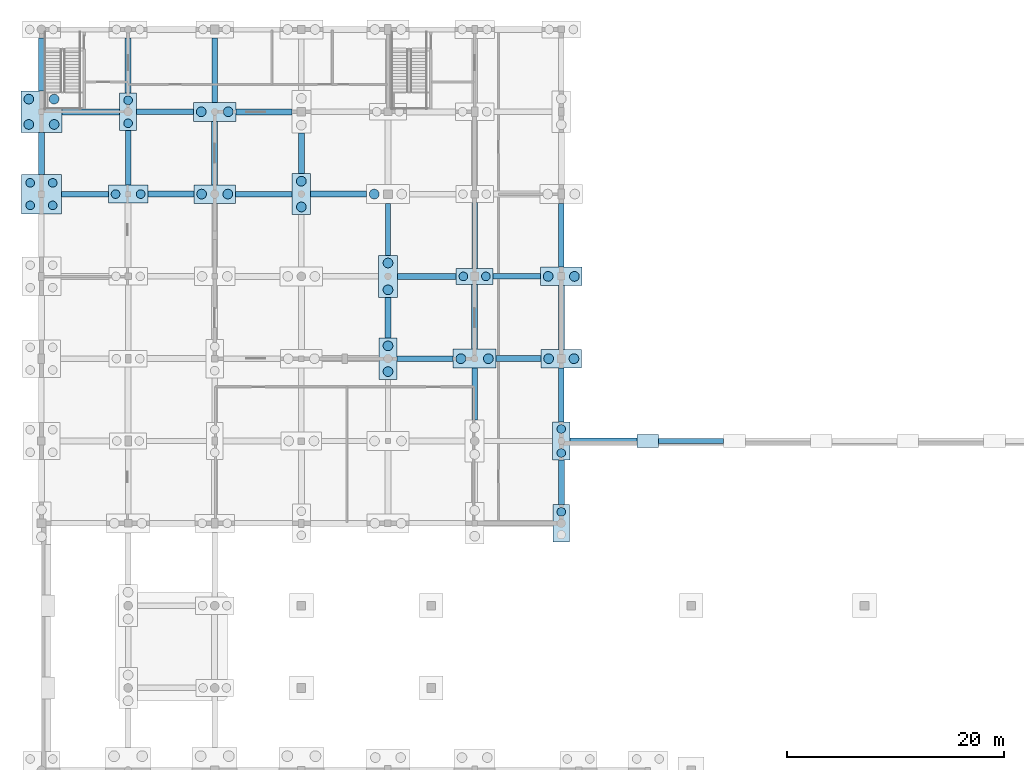
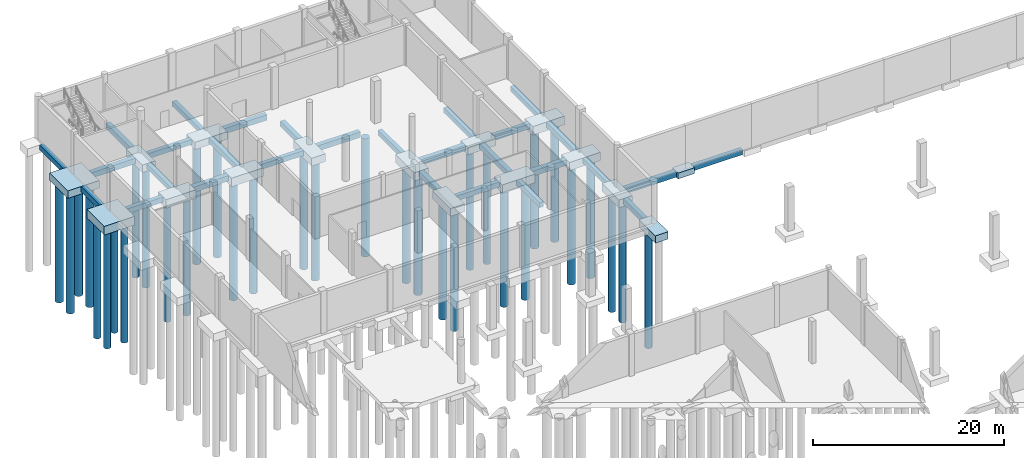
# One storey, part 9 of 44: 45 footings, 34 piles.
"""IFC4 building model written with IfcOpenShell, lengths in metres."""

from ifc_helpers import new_model, si_unit, direction, frame, origin, origin_2d, place, context, subcontext, project, spatial, polyline, circle, outline, extrude, material, material_profile, profile_set, type_object, element, save


model = new_model("IFC4")

# Units and contexts
model_context = context("Model", 3, precision=1e-05, world=origin(), true_north=direction((0.0, 1.0)))
body_context = subcontext(model_context, "Body", "Model", "MODEL_VIEW")
ifc_project = project(units=[si_unit("LENGTHUNIT", "METRE"), si_unit("AREAUNIT", "SQUARE_METRE"), si_unit("VOLUMEUNIT", "CUBIC_METRE"), si_unit("PLANEANGLEUNIT", "RADIAN"), si_unit("MASSUNIT", "GRAM", prefix="KILO")], contexts=[model_context])

# Site, building, storey
site_placement = place(None, origin())
site = spatial("IfcSite", under=ifc_project, at=site_placement, CompositionType="ELEMENT")
building_placement = place(site_placement, origin())
building = spatial("IfcBuilding", under=site, at=building_placement, Name="Khelvaren Railside Concert Hall", CompositionType="ELEMENT")
storey_placement = place(building_placement, frame((0.0, 0.0, -5.39990234375)))
storey = spatial("IfcBuildingStorey", under=building, at=storey_placement, Name="B1", CompositionType="ELEMENT", Elevation=-5.39990234375)

# Piles
ifc_material = material(Name="Concrete C35/45", Category="concrete")
ifc_material_profile_1 = material_profile(ifc_material, circle(Radius=0.449951171875, at=origin_2d()), Name="BP D900")
ifc_profile_set_1 = profile_set([ifc_material_profile_1], Name="Concrete C35/45")
pile_type_1 = type_object("IfcPileType", Name="BP51", PredefinedType="BORED", material=ifc_profile_set_1)
for number, where, z_axis, x_axis, name in (
    (1, (-1.169921875, 105.22998046875, -1.35009765625), (0.0, 0.0, -1.0), (1.0, 0.0, 0.0), "Bored Pile BP51 PC-V4-012-1"),
    (2, (1.169921875, 105.22998046875, -1.35009765625), (0.0, 0.0, -1.0), (1.0, 0.0, 0.0), "Bored Pile BP51 PC-V4-012-2"),
    (3, (-1.169921875, 107.570068359375, -1.35009765625), (0.0, 0.0, -1.0), (1.0, 0.0, 0.0), "Bored Pile BP51 PC-V4-012-3"),
    (4, (1.169921875, 107.570068359375, -1.35009765625), (0.0, 0.0, -1.0), (1.0, 0.0, 0.0), "Bored Pile BP51 PC-V4-012-4"),
):
    element("IfcPile", number, at=place(storey_placement, frame(where, z_axis=z_axis, x_axis=x_axis)), inside=storey, type_object=pile_type_1, Name=name, PredefinedType="BORED", context=body_context, shape_type="SweptSolid", body=[
        extrude(circle(Radius=0.449951171875, at=origin_2d()), origin(), (0.0, 0.0, 1.0), 15.25),
    ])
for number, where, z_axis, x_axis, name in (
    (5, (14.7900390625, 98.800048828125, -1.5), (0.0, 0.0, -1.0), (1.0, 0.0, 0.0), "Bored Pile BP51 PC-V4-043-1"),
    (6, (17.2099609375, 98.800048828125, -1.5), (0.0, 0.0, -1.0), (1.0, 0.0, 0.0), "Bored Pile BP51 PC-V4-043-2"),
):
    element("IfcPile", number, at=place(storey_placement, frame(where, z_axis=z_axis, x_axis=x_axis)), inside=storey, type_object=pile_type_1, Name=name, PredefinedType="BORED", context=body_context, shape_type="SweptSolid", body=[
        extrude(circle(Radius=0.449951171875, at=origin_2d()), origin(), (0.0, 0.0, 1.0), 15.10009765625),
    ])
for number, where, z_axis, x_axis, name in (
    (7, (14.75, 106.39990234375, -1.35009765625), (0.0, 0.0, -1.0), (1.0, 0.0, 0.0), "Bored Pile BP51 PC-V4-044-1"),
    (8, (17.25, 106.39990234375, -1.35009765625), (0.0, 0.0, -1.0), (1.0, 0.0, 0.0), "Bored Pile BP51 PC-V4-044-2"),
):
    element("IfcPile", number, at=place(storey_placement, frame(where, z_axis=z_axis, x_axis=x_axis)), inside=storey, type_object=pile_type_1, Name=name, PredefinedType="BORED", context=body_context, shape_type="SweptSolid", body=[
        extrude(circle(Radius=0.449951171875, at=origin_2d()), origin(), (0.0, 0.0, 1.0), 15.25),
    ])
for number, where, z_axis, x_axis, name in (
    (9, (24.0, 97.610107421875, -1.400146484375), (0.0, 0.0, -1.0), (1.0, 0.0, 0.0), "Bored Pile BP51 PC-V4-057-1"),
    (10, (24.0, 99.989990234375, -1.400146484375), (0.0, 0.0, -1.0), (1.0, 0.0, 0.0), "Bored Pile BP51 PC-V4-057-2"),
    (11, (32.0, 82.409912109375, -1.400146484375), (0.0, 0.0, -1.0), (1.0, 0.0, 0.0), "Bored Pile BP51 PC-V4-069-1"),
    (12, (32.0, 84.7900390625, -1.400146484375), (0.0, 0.0, -1.0), (1.0, 0.0, 0.0), "Bored Pile BP51 PC-V4-069-2"),
):
    element("IfcPile", number, at=place(storey_placement, frame(where, z_axis=z_axis, x_axis=x_axis)), inside=storey, type_object=pile_type_1, Name=name, PredefinedType="BORED", context=body_context, shape_type="SweptSolid", body=[
        extrude(circle(Radius=0.449951171875, at=origin_2d()), origin(), (0.0, 0.0, 1.0), 15.199951171875),
    ])
for number, where, z_axis, x_axis, name in (
    (13, (32.0, 89.9599609375, -1.4501953125), (0.0, 0.0, -1.0), (1.0, 0.0, 0.0), "Bored Pile BP51 PC-V4-070-1"),
    (14, (32.0, 92.43994140625, -1.4501953125), (0.0, 0.0, -1.0), (1.0, 0.0, 0.0), "Bored Pile BP51 PC-V4-070-2"),
):
    element("IfcPile", number, at=place(storey_placement, frame(where, z_axis=z_axis, x_axis=x_axis)), inside=storey, type_object=pile_type_1, Name=name, PredefinedType="BORED", context=body_context, shape_type="SweptSolid", body=[
        extrude(circle(Radius=0.449951171875, at=origin_2d()), origin(), (0.0, 0.0, 1.0), 15.14990234375),
    ])
for number, where, z_axis, x_axis, name in (
    (15, (30.72998046875, 98.800048828125, -1.5), (0.0, 0.0, -1.0), (1.0, 0.0, 0.0), "Bored Pile BP51 PC-V4-071-1"),
    (16, (38.72998046875, 83.60009765625, -1.5), (0.0, 0.0, -1.0), (1.0, 0.0, 0.0), "Bored Pile BP51 PC-V4-083-1"),
    (17, (41.27001953125, 83.60009765625, -1.5), (0.0, 0.0, -1.0), (1.0, 0.0, 0.0), "Bored Pile BP51 PC-V4-083-2"),
):
    element("IfcPile", number, at=place(storey_placement, frame(where, z_axis=z_axis, x_axis=x_axis)), inside=storey, type_object=pile_type_1, Name=name, PredefinedType="BORED", context=body_context, shape_type="SweptSolid", body=[
        extrude(circle(Radius=0.449951171875, at=origin_2d()), origin(), (0.0, 0.0, 1.0), 15.10009765625),
    ])
for number, where, z_axis, x_axis, name in (
    (18, (46.830078125, 83.60009765625, -1.4501953125), (0.0, 0.0, -1.0), (1.0, 0.0, 0.0), "Bored Pile BP51 PC-V4-090-1"),
    (19, (49.169921875, 83.60009765625, -1.4501953125), (0.0, 0.0, -1.0), (1.0, 0.0, 0.0), "Bored Pile BP51 PC-V4-090-2"),
):
    element("IfcPile", number, at=place(storey_placement, frame(where, z_axis=z_axis, x_axis=x_axis)), inside=storey, type_object=pile_type_1, Name=name, PredefinedType="BORED", context=body_context, shape_type="SweptSolid", body=[
        extrude(circle(Radius=0.449951171875, at=origin_2d()), origin(), (0.0, 0.0, 1.0), 15.14990234375),
    ])
for number, where, z_axis, x_axis, name in (
    (20, (46.7900390625, 91.199951171875, -1.5), (0.0, 0.0, -1.0), (1.0, 0.0, 0.0), "Bored Pile BP51 PC-V4-091-1"),
    (21, (49.2099609375, 91.199951171875, -1.5), (0.0, 0.0, -1.0), (1.0, 0.0, 0.0), "Bored Pile BP51 PC-V4-091-2"),
):
    element("IfcPile", number, at=place(storey_placement, frame(where, z_axis=z_axis, x_axis=x_axis)), inside=storey, type_object=pile_type_1, Name=name, PredefinedType="BORED", context=body_context, shape_type="SweptSolid", body=[
        extrude(circle(Radius=0.449951171875, at=origin_2d()), origin(), (0.0, 0.0, 1.0), 15.10009765625),
    ])
ifc_material_profile_2 = material_profile(ifc_material, circle(Radius=0.39990234375, at=origin_2d()), Name="BP D800")
ifc_profile_set_2 = profile_set([ifc_material_profile_2], Name="Concrete C35/45")
pile_type_2 = type_object("IfcPileType", Name="BP84", PredefinedType="BORED", material=ifc_profile_set_2)
for number, where, z_axis, x_axis, name in (
    (22, (-1.0400390625, 97.760009765625, -1.5), (0.0, 0.0, -1.0), (1.0, 0.0, 0.0), "Bored Pile BP84 PC-V4-011-1"),
    (23, (1.0400390625, 97.760009765625, -1.5), (0.0, 0.0, -1.0), (1.0, 0.0, 0.0), "Bored Pile BP84 PC-V4-011-2"),
    (24, (-1.0400390625, 99.840087890625, -1.5), (0.0, 0.0, -1.0), (1.0, 0.0, 0.0), "Bored Pile BP84 PC-V4-011-3"),
    (25, (1.0400390625, 99.840087890625, -1.5), (0.0, 0.0, -1.0), (1.0, 0.0, 0.0), "Bored Pile BP84 PC-V4-011-4"),
    (26, (6.840087890625, 98.800048828125, -1.5), (0.0, 0.0, -1.0), (1.0, 0.0, 0.0), "Bored Pile BP84 PC-V4-027-1"),
    (27, (9.159912109375, 98.800048828125, -1.5), (0.0, 0.0, -1.0), (1.0, 0.0, 0.0), "Bored Pile BP84 PC-V4-027-2"),
):
    element("IfcPile", number, at=place(storey_placement, frame(where, z_axis=z_axis, x_axis=x_axis)), inside=storey, type_object=pile_type_2, Name=name, PredefinedType="BORED", context=body_context, shape_type="SweptSolid", body=[
        extrude(circle(Radius=0.39990234375, at=origin_2d()), origin(), (0.0, 0.0, 1.0), 15.10009765625),
    ])
for number, where, z_axis, x_axis, name in (
    (28, (8.0, 105.340087890625, -1.35009765625), (0.0, 0.0, -1.0), (1.0, 0.0, 0.0), "Bored Pile BP84 PC-V4-028-1"),
    (29, (8.0, 107.4599609375, -1.35009765625), (0.0, 0.0, -1.0), (1.0, 0.0, 0.0), "Bored Pile BP84 PC-V4-028-2"),
    (30, (38.9599609375, 91.199951171875, -1.35009765625), (0.0, 0.0, -1.0), (1.0, 0.0, 0.0), "Bored Pile BP84 PC-V4-084-1"),
    (31, (41.0400390625, 91.199951171875, -1.35009765625), (0.0, 0.0, -1.0), (1.0, 0.0, 0.0), "Bored Pile BP84 PC-V4-084-2"),
    (32, (48.0, 69.4599609375, -1.35009765625), (0.0, 0.0, -1.0), (1.0, 0.0, 0.0), "Bored Pile BP84 PC-V4-088-2"),
):
    element("IfcPile", number, at=place(storey_placement, frame(where, z_axis=z_axis, x_axis=x_axis)), inside=storey, type_object=pile_type_2, Name=name, PredefinedType="BORED", context=body_context, shape_type="SweptSolid", body=[
        extrude(circle(Radius=0.39990234375, at=origin_2d()), origin(), (0.0, 0.0, 1.0), 15.25),
    ])
for number, where, z_axis, x_axis, name in (
    (33, (48.0, 74.889892578125, -1.400146484375), (0.0, 0.0, -1.0), (1.0, 0.0, 0.0), "Bored Pile BP84 PC-V4-089-1"),
    (34, (48.0, 77.110107421875, -1.400146484375), (0.0, 0.0, -1.0), (1.0, 0.0, 0.0), "Bored Pile BP84 PC-V4-089-2"),
):
    element("IfcPile", number, at=place(storey_placement, frame(where, z_axis=z_axis, x_axis=x_axis)), inside=storey, type_object=pile_type_2, Name=name, PredefinedType="BORED", context=body_context, shape_type="SweptSolid", body=[
        extrude(circle(Radius=0.39990234375, at=origin_2d()), origin(), (0.0, 0.0, 1.0), 15.199951171875),
    ])

# Footings
footing_type_1 = type_object("IfcFootingType", Name="GB49", PredefinedType="FOOTING_BEAM", material=ifc_material)
footing_1_placement = place(storey_placement, frame((0.0, 0.0, -1.150146484375)))
element("IfcFooting", 35, at=footing_1_placement, inside=storey, type_object=footing_type_1, Name="Ground Tie Beam GB49 147", PredefinedType="FOOTING_BEAM", context=body_context, shape_type="SweptSolid", body=[
    extrude(outline(polyline([(32.85009765625, 83.35009765625), (38.02001953125, 83.35009765625), (38.02001953125, 83.85009765625), (32.85009765625, 83.85009765625), (32.85009765625, 83.35009765625)])), origin(), (0.0, 0.0, 1.0), 0.650146484375),
])
footing_2_placement = place(storey_placement, frame((0.0, 0.0, -1.150146484375)))
element("IfcFooting", 36, at=footing_2_placement, inside=storey, type_object=footing_type_1, Name="Ground Tie Beam GB49 161", PredefinedType="FOOTING_BEAM", context=body_context, shape_type="SweptSolid", body=[
    extrude(outline(polyline([(41.699951171875, 90.949951171875), (46.080078125, 90.949951171875), (46.080078125, 91.449951171875), (41.699951171875, 91.449951171875), (41.699951171875, 90.949951171875)])), origin(), (0.0, 0.0, 1.0), 0.650146484375),
])
footing_3_placement = place(storey_placement, frame((0.0, 0.0, -1.150146484375)))
element("IfcFooting", 37, at=footing_3_placement, inside=storey, type_object=footing_type_1, Name="Ground Tie Beam GB49 169", PredefinedType="FOOTING_BEAM", context=body_context, shape_type="SweptSolid", body=[
    extrude(outline(polyline([(1.840087890625, 98.550048828125), (6.179931640625, 98.550048828125), (6.179931640625, 99.050048828125), (1.840087890625, 99.050048828125), (1.840087890625, 98.550048828125)])), origin(), (0.0, 0.0, 1.0), 0.650146484375),
])
footing_4_placement = place(storey_placement, frame((0.0, 0.0, -1.150146484375)))
element("IfcFooting", 38, at=footing_4_placement, inside=storey, type_object=footing_type_1, Name="Ground Tie Beam GB49 171", PredefinedType="FOOTING_BEAM", context=body_context, shape_type="SweptSolid", body=[
    extrude(outline(polyline([(17.919921875, 98.550048828125), (23.14990234375, 98.550048828125), (23.14990234375, 99.050048828125), (17.919921875, 99.050048828125), (17.919921875, 98.550048828125)])), origin(), (0.0, 0.0, 1.0), 0.650146484375),
])
footing_5_placement = place(storey_placement, frame((0.0, 0.0, -1.150146484375)))
element("IfcFooting", 39, at=footing_5_placement, inside=storey, type_object=footing_type_1, Name="Ground Tie Beam GB49 183", PredefinedType="FOOTING_BEAM", context=body_context, shape_type="SweptSolid", body=[
    extrude(outline(polyline([(8.77490234375, 106.14990234375), (14.0400390625, 106.14990234375), (14.0400390625, 106.64990234375), (8.77490234375, 106.64990234375), (8.77490234375, 106.14990234375)])), origin(), (0.0, 0.0, 1.0), 0.650146484375),
])
footing_6_placement = place(storey_placement, frame((0.0, 0.0, -1.150146484375)))
element("IfcFooting", 40, at=footing_6_placement, inside=storey, type_object=footing_type_1, Name="Ground Tie Beam GB49 219", PredefinedType="FOOTING_BEAM", context=body_context, shape_type="SweptSolid", body=[
    extrude(outline(polyline([(-0.25, 108.300048828125), (0.25, 108.300048828125), (0.25, 113.22509765625), (-0.25, 113.22509765625), (-0.25, 108.300048828125)])), origin(), (0.0, 0.0, 1.0), 0.650146484375),
])
footing_7_placement = place(storey_placement, frame((0.0, 0.0, -1.150146484375)))
element("IfcFooting", 41, at=footing_7_placement, inside=storey, type_object=footing_type_1, Name="Ground Tie Beam GB49 233", PredefinedType="FOOTING_BEAM", context=body_context, shape_type="SweptSolid", body=[
    extrude(outline(polyline([(7.75, 99.625), (8.25, 99.625), (8.25, 104.679931640625), (7.75, 104.679931640625), (7.75, 99.625)])), origin(), (0.0, 0.0, 1.0), 0.650146484375),
])
footing_8_placement = place(storey_placement, frame((0.0, 0.0, -1.150146484375)))
element("IfcFooting", 42, at=footing_8_placement, inside=storey, type_object=footing_type_1, Name="Ground Tie Beam GB49 249", PredefinedType="FOOTING_BEAM", context=body_context, shape_type="SweptSolid", body=[
    extrude(outline(polyline([(15.75, 107.27490234375), (16.25, 107.27490234375), (16.25, 113.22509765625), (15.75, 113.22509765625), (15.75, 107.27490234375)])), origin(), (0.0, 0.0, 1.0), 0.650146484375),
])
footing_9_placement = place(storey_placement, frame((0.0, 0.0, -1.150146484375)))
element("IfcFooting", 43, at=footing_9_placement, inside=storey, type_object=footing_type_1, Name="Ground Tie Beam GB49 271", PredefinedType="FOOTING_BEAM", context=body_context, shape_type="SweptSolid", body=[
    extrude(outline(polyline([(31.75, 93.14990234375), (32.25, 93.14990234375), (32.25, 97.925048828125), (31.75, 97.925048828125), (31.75, 93.14990234375)])), origin(), (0.0, 0.0, 1.0), 0.650146484375),
])
footing_10_placement = place(storey_placement, frame((0.0, 0.0, -1.150146484375)))
element("IfcFooting", 44, at=footing_10_placement, inside=storey, type_object=footing_type_1, Name="Ground Tie Beam GB49 281", PredefinedType="FOOTING_BEAM", context=body_context, shape_type="SweptSolid", body=[
    extrude(outline(polyline([(39.75, 77.949951171875), (40.25, 77.949951171875), (40.25, 82.72509765625), (39.75, 82.72509765625), (39.75, 77.949951171875)])), origin(), (0.0, 0.0, 1.0), 0.650146484375),
])
footing_11_placement = place(storey_placement, frame((0.0, 0.0, -1.150146484375)))
element("IfcFooting", 45, at=footing_11_placement, inside=storey, type_object=footing_type_1, Name="Ground Tie Beam GB49 283", PredefinedType="FOOTING_BEAM", context=body_context, shape_type="SweptSolid", body=[
    extrude(outline(polyline([(39.75, 91.949951171875), (40.25, 91.949951171875), (40.25, 98.02490234375), (39.75, 98.02490234375), (39.75, 91.949951171875)])), origin(), (0.0, 0.0, 1.0), 0.650146484375),
])
footing_12_placement = place(storey_placement, frame((0.0, 0.0, -1.150146484375)))
element("IfcFooting", 46, at=footing_12_placement, inside=storey, type_object=footing_type_1, Name="Ground Tie Beam GB49 287", PredefinedType="FOOTING_BEAM", context=body_context, shape_type="SweptSolid", body=[
    extrude(outline(polyline([(47.75, 77.77001953125), (48.25, 77.77001953125), (48.25, 82.75), (47.75, 82.75), (47.75, 77.77001953125)])), origin(), (0.0, 0.0, 1.0), 0.650146484375),
])
footing_13_placement = place(storey_placement, frame((0.0, 0.0, -1.150146484375)))
element("IfcFooting", 47, at=footing_13_placement, inside=storey, type_object=footing_type_1, Name="Ground Tie Beam GB49 289", PredefinedType="FOOTING_BEAM", context=body_context, shape_type="SweptSolid", body=[
    extrude(outline(polyline([(47.75, 92.06005859375), (48.25, 92.06005859375), (48.25, 97.925048828125), (47.75, 97.925048828125), (47.75, 92.06005859375)])), origin(), (0.0, 0.0, 1.0), 0.650146484375),
])
footing_14_placement = place(storey_placement, frame((0.0, 0.0, -1.150146484375)))
element("IfcFooting", 48, at=footing_14_placement, inside=storey, type_object=footing_type_1, Name="Ground Tie Beam GB49 409", PredefinedType="FOOTING_BEAM", context=body_context, shape_type="SweptSolid", body=[
    extrude(outline(polyline([(57.0, 75.75), (63.0, 75.75), (63.0, 76.25), (57.0, 76.25), (57.0, 75.75)])), origin(), (0.0, 0.0, 1.0), 0.650146484375),
])
footing_type_2 = type_object("IfcFootingType", Name="GB57", PredefinedType="FOOTING_BEAM", material=ifc_material)
footing_15_placement = place(storey_placement, frame((0.0, 0.0, -1.2001953125)))
element("IfcFooting", 49, at=footing_15_placement, inside=storey, type_object=footing_type_2, Name="Ground Tie Beam GB57 148", PredefinedType="FOOTING_BEAM", context=body_context, shape_type="SweptSolid", body=[
    extrude(outline(polyline([(41.97998046875, 83.324951171875), (46.1201171875, 83.324951171875), (46.1201171875, 83.875), (41.97998046875, 83.875), (41.97998046875, 83.324951171875)])), origin(), (0.0, 0.0, 1.0), 0.7001953125),
])
footing_16_placement = place(storey_placement, frame((0.0, 0.0, -1.2001953125)))
element("IfcFooting", 50, at=footing_16_placement, inside=storey, type_object=footing_type_2, Name="Ground Tie Beam GB57 160", PredefinedType="FOOTING_BEAM", context=body_context, shape_type="SweptSolid", body=[
    extrude(outline(polyline([(32.875, 90.925048828125), (38.300048828125, 90.925048828125), (38.300048828125, 91.47509765625), (32.875, 91.47509765625), (32.875, 90.925048828125)])), origin(), (0.0, 0.0, 1.0), 0.7001953125),
])
footing_17_placement = place(storey_placement, frame((0.0, 0.0, -1.2001953125)))
element("IfcFooting", 51, at=footing_17_placement, inside=storey, type_object=footing_type_2, Name="Ground Tie Beam GB57 170", PredefinedType="FOOTING_BEAM", context=body_context, shape_type="SweptSolid", body=[
    extrude(outline(polyline([(9.820068359375, 98.52490234375), (14.080078125, 98.52490234375), (14.080078125, 99.074951171875), (9.820068359375, 99.074951171875), (9.820068359375, 98.52490234375)])), origin(), (0.0, 0.0, 1.0), 0.7001953125),
])
footing_18_placement = place(storey_placement, frame((0.0, 0.0, -1.2001953125)))
element("IfcFooting", 52, at=footing_18_placement, inside=storey, type_object=footing_type_2, Name="Ground Tie Beam GB57 172", PredefinedType="FOOTING_BEAM", context=body_context, shape_type="SweptSolid", body=[
    extrude(outline(polyline([(24.85009765625, 98.52490234375), (30.02001953125, 98.52490234375), (30.02001953125, 99.074951171875), (24.85009765625, 99.074951171875), (24.85009765625, 98.52490234375)])), origin(), (0.0, 0.0, 1.0), 0.7001953125),
])
footing_19_placement = place(storey_placement, frame((0.0, 0.0, -1.2001953125)))
element("IfcFooting", 53, at=footing_19_placement, inside=storey, type_object=footing_type_2, Name="Ground Tie Beam GB57 182", PredefinedType="FOOTING_BEAM", context=body_context, shape_type="SweptSolid", body=[
    extrude(outline(polyline([(1.89990234375, 106.125), (7.22509765625, 106.125), (7.22509765625, 106.675048828125), (1.89990234375, 106.675048828125), (1.89990234375, 106.125)])), origin(), (0.0, 0.0, 1.0), 0.7001953125),
])
footing_20_placement = place(storey_placement, frame((0.0, 0.0, -1.2001953125)))
element("IfcFooting", 54, at=footing_20_placement, inside=storey, type_object=footing_type_2, Name="Ground Tie Beam GB57 184", PredefinedType="FOOTING_BEAM", context=body_context, shape_type="SweptSolid", body=[
    extrude(outline(polyline([(17.9599609375, 106.125), (23.125, 106.125), (23.125, 106.675048828125), (17.9599609375, 106.675048828125), (17.9599609375, 106.125)])), origin(), (0.0, 0.0, 1.0), 0.7001953125),
])
footing_21_placement = place(storey_placement, frame((0.0, 0.0, -1.2001953125)))
element("IfcFooting", 55, at=footing_21_placement, inside=storey, type_object=footing_type_2, Name="Ground Tie Beam GB57 218", PredefinedType="FOOTING_BEAM", context=body_context, shape_type="SweptSolid", body=[
    extrude(outline(polyline([(-0.27490234375, 100.6201171875), (0.27490234375, 100.6201171875), (0.27490234375, 104.5), (-0.27490234375, 104.5), (-0.27490234375, 100.6201171875)])), origin(), (0.0, 0.0, 1.0), 0.7001953125),
])
footing_22_placement = place(storey_placement, frame((0.0, 0.0, -1.2001953125)))
element("IfcFooting", 56, at=footing_22_placement, inside=storey, type_object=footing_type_2, Name="Ground Tie Beam GB57 234", PredefinedType="FOOTING_BEAM", context=body_context, shape_type="SweptSolid", body=[
    extrude(outline(polyline([(7.72509765625, 108.1201171875), (8.27490234375, 108.1201171875), (8.27490234375, 113.22509765625), (7.72509765625, 113.22509765625), (7.72509765625, 108.1201171875)])), origin(), (0.0, 0.0, 1.0), 0.7001953125),
])
footing_23_placement = place(storey_placement, frame((0.0, 0.0, -1.2001953125)))
element("IfcFooting", 57, at=footing_23_placement, inside=storey, type_object=footing_type_2, Name="Ground Tie Beam GB57 248", PredefinedType="FOOTING_BEAM", context=body_context, shape_type="SweptSolid", body=[
    extrude(outline(polyline([(15.72509765625, 99.659912109375), (16.27490234375, 99.659912109375), (16.27490234375, 105.52490234375), (15.72509765625, 105.52490234375), (15.72509765625, 99.659912109375)])), origin(), (0.0, 0.0, 1.0), 0.7001953125),
])
footing_24_placement = place(storey_placement, frame((0.0, 0.0, -1.2001953125)))
element("IfcFooting", 58, at=footing_24_placement, inside=storey, type_object=footing_type_2, Name="Ground Tie Beam GB57 260", PredefinedType="FOOTING_BEAM", context=body_context, shape_type="SweptSolid", body=[
    extrude(outline(polyline([(23.72509765625, 100.699951171875), (24.27490234375, 100.699951171875), (24.27490234375, 104.449951171875), (23.72509765625, 104.449951171875), (23.72509765625, 100.699951171875)])), origin(), (0.0, 0.0, 1.0), 0.7001953125),
])
footing_25_placement = place(storey_placement, frame((0.0, 0.0, -1.2001953125)))
element("IfcFooting", 59, at=footing_25_placement, inside=storey, type_object=footing_type_2, Name="Ground Tie Beam GB57 270", PredefinedType="FOOTING_BEAM", context=body_context, shape_type="SweptSolid", body=[
    extrude(outline(polyline([(31.72509765625, 85.5), (32.27490234375, 85.5), (32.27490234375, 89.25), (31.72509765625, 89.25), (31.72509765625, 85.5)])), origin(), (0.0, 0.0, 1.0), 0.7001953125),
])
footing_26_placement = place(storey_placement, frame((0.0, 0.0, -1.2001953125)))
element("IfcFooting", 60, at=footing_26_placement, inside=storey, type_object=footing_type_2, Name="Ground Tie Beam GB57 282", PredefinedType="FOOTING_BEAM", context=body_context, shape_type="SweptSolid", body=[
    extrude(outline(polyline([(39.72509765625, 84.47509765625), (40.27490234375, 84.47509765625), (40.27490234375, 90.449951171875), (39.72509765625, 90.449951171875), (39.72509765625, 84.47509765625)])), origin(), (0.0, 0.0, 1.0), 0.7001953125),
])
footing_27_placement = place(storey_placement, frame((0.0, 0.0, -1.2001953125)))
element("IfcFooting", 61, at=footing_27_placement, inside=storey, type_object=footing_type_2, Name="Ground Tie Beam GB57 286", PredefinedType="FOOTING_BEAM", context=body_context, shape_type="SweptSolid", body=[
    extrude(outline(polyline([(47.72509765625, 70.1201171875), (48.27490234375, 70.1201171875), (48.27490234375, 74.22998046875), (47.72509765625, 74.22998046875), (47.72509765625, 70.1201171875)])), origin(), (0.0, 0.0, 1.0), 0.7001953125),
])
footing_28_placement = place(storey_placement, frame((0.0, 0.0, -1.2001953125)))
element("IfcFooting", 62, at=footing_28_placement, inside=storey, type_object=footing_type_2, Name="Ground Tie Beam GB57 288", PredefinedType="FOOTING_BEAM", context=body_context, shape_type="SweptSolid", body=[
    extrude(outline(polyline([(47.72509765625, 84.449951171875), (48.27490234375, 84.449951171875), (48.27490234375, 90.340087890625), (47.72509765625, 90.340087890625), (47.72509765625, 84.449951171875)])), origin(), (0.0, 0.0, 1.0), 0.7001953125),
])
footing_29_placement = place(storey_placement, frame((0.0, 0.0, -1.2001953125)))
element("IfcFooting", 63, at=footing_29_placement, inside=storey, type_object=footing_type_2, Name="Ground Tie Beam GB57 408", PredefinedType="FOOTING_BEAM", context=body_context, shape_type="SweptSolid", body=[
    extrude(outline(polyline([(48.824951171875, 75.72509765625), (55.0, 75.72509765625), (55.0, 76.27490234375), (48.824951171875, 76.27490234375), (48.824951171875, 75.72509765625)])), origin(), (0.0, 0.0, 1.0), 0.7001953125),
])
footing_type_3 = type_object("IfcFootingType", Name="PC23", PredefinedType="PILE_CAP", material=ifc_material)
footing_30_placement = place(storey_placement, frame((0.0, 0.0, -1.4501953125)))
element("IfcFooting", 64, at=footing_30_placement, inside=storey, type_object=footing_type_3, Name="Pile Cap PC23 (16.0,106.4)", PredefinedType="PILE_CAP", context=body_context, shape_type="SweptSolid", body=[
    extrude(outline(polyline([(14.0400390625, 105.52490234375), (17.9599609375, 105.52490234375), (17.9599609375, 107.27490234375), (14.0400390625, 107.27490234375), (14.0400390625, 105.52490234375)])), origin(), (0.0, 0.0, 1.0), 0.9501953125),
])
footing_type_4 = type_object("IfcFootingType", Name="PC25", PredefinedType="PILE_CAP", material=ifc_material)
footing_31_placement = place(storey_placement, frame((0.0, 0.0, -1.60009765625)))
element("IfcFooting", 65, at=footing_31_placement, inside=storey, type_object=footing_type_4, Name="Pile Cap PC25 (16.0,98.8)", PredefinedType="PILE_CAP", context=body_context, shape_type="SweptSolid", body=[
    extrude(outline(polyline([(14.080078125, 97.93994140625), (17.919921875, 97.93994140625), (17.919921875, 99.659912109375), (14.080078125, 99.659912109375), (14.080078125, 97.93994140625)])), origin(), (0.0, 0.0, 1.0), 1.10009765625),
])
footing_32_placement = place(storey_placement, frame((0.0, 0.0, -1.60009765625)))
element("IfcFooting", 66, at=footing_32_placement, inside=storey, type_object=footing_type_4, Name="Pile Cap PC25 (48.0,91.2)", PredefinedType="PILE_CAP", context=body_context, shape_type="SweptSolid", body=[
    extrude(outline(polyline([(46.080078125, 90.340087890625), (49.919921875, 90.340087890625), (49.919921875, 92.06005859375), (46.080078125, 92.06005859375), (46.080078125, 90.340087890625)])), origin(), (0.0, 0.0, 1.0), 1.10009765625),
])
footing_type_5 = type_object("IfcFootingType", Name="PC28", PredefinedType="PILE_CAP", material=ifc_material)
footing_33_placement = place(storey_placement, frame((0.0, 0.0, -1.60009765625)))
element("IfcFooting", 67, at=footing_33_placement, inside=storey, type_object=footing_type_5, Name="Pile Cap PC28 (40.0,83.6)", PredefinedType="PILE_CAP", context=body_context, shape_type="SweptSolid", body=[
    extrude(outline(polyline([(38.02001953125, 82.72509765625), (41.97998046875, 82.72509765625), (41.97998046875, 84.47509765625), (38.02001953125, 84.47509765625), (38.02001953125, 82.72509765625)])), origin(), (0.0, 0.0, 1.0), 1.10009765625),
])
footing_type_6 = type_object("IfcFootingType", Name="PC31", PredefinedType="PILE_CAP", material=ifc_material)
footing_34_placement = place(storey_placement, frame((0.0, 0.0, -1.4501953125)))
element("IfcFooting", 68, at=footing_34_placement, inside=storey, type_object=footing_type_6, Name="Pile Cap PC31 (0.0,106.4)", PredefinedType="PILE_CAP", context=body_context, shape_type="SweptSolid", body=[
    extrude(outline(polyline([(-1.89990234375, 104.5), (1.89990234375, 104.5), (1.89990234375, 108.300048828125), (-1.89990234375, 108.300048828125), (-1.89990234375, 104.5)])), origin(), (0.0, 0.0, 1.0), 0.9501953125),
])
footing_type_7 = type_object("IfcFootingType", Name="PC33", PredefinedType="PILE_CAP", material=ifc_material)
footing_35_placement = place(storey_placement, frame((0.0, 0.0, -1.60009765625)))
element("IfcFooting", 69, at=footing_35_placement, inside=storey, type_object=footing_type_7, Name="Pile Cap PC33 (8.0,98.8)", PredefinedType="PILE_CAP", context=body_context, shape_type="SweptSolid", body=[
    extrude(outline(polyline([(6.179931640625, 97.97509765625), (9.820068359375, 97.97509765625), (9.820068359375, 99.625), (6.179931640625, 99.625), (6.179931640625, 97.97509765625)])), origin(), (0.0, 0.0, 1.0), 1.10009765625),
])
footing_type_8 = type_object("IfcFootingType", Name="PC41", PredefinedType="PILE_CAP", material=ifc_material)
footing_36_placement = place(storey_placement, frame((0.0, 0.0, -1.550048828125)))
element("IfcFooting", 70, at=footing_36_placement, inside=storey, type_object=footing_type_8, Name="Pile Cap PC41 (32.0,91.2)", PredefinedType="PILE_CAP", context=body_context, shape_type="SweptSolid", body=[
    extrude(outline(polyline([(31.125, 89.25), (32.875, 89.25), (32.875, 93.14990234375), (31.125, 93.14990234375), (31.125, 89.25)])), origin(), (0.0, 0.0, 1.0), 1.050048828125),
])
footing_type_9 = type_object("IfcFootingType", Name="PC42", PredefinedType="PILE_CAP", material=ifc_material)
footing_37_placement = place(storey_placement, frame((0.0, 0.0, -1.60009765625)))
element("IfcFooting", 71, at=footing_37_placement, inside=storey, type_object=footing_type_9, Name="Pile Cap PC42 (0.0,98.8)", PredefinedType="PILE_CAP", context=body_context, shape_type="SweptSolid", body=[
    extrude(outline(polyline([(-1.840087890625, 96.97998046875), (1.840087890625, 96.97998046875), (1.840087890625, 100.6201171875), (-1.840087890625, 100.6201171875), (-1.840087890625, 96.97998046875)])), origin(), (0.0, 0.0, 1.0), 1.10009765625),
])
footing_type_10 = type_object("IfcFootingType", Name="PC58", PredefinedType="PILE_CAP", material=ifc_material)
footing_38_placement = place(storey_placement, frame((0.0, 0.0, -1.550048828125)))
element("IfcFooting", 72, at=footing_38_placement, inside=storey, type_object=footing_type_10, Name="Pile Cap PC58 (48.0,83.6)", PredefinedType="PILE_CAP", context=body_context, shape_type="SweptSolid", body=[
    extrude(outline(polyline([(46.1201171875, 82.75), (49.8798828125, 82.75), (49.8798828125, 84.449951171875), (46.1201171875, 84.449951171875), (46.1201171875, 82.75)])), origin(), (0.0, 0.0, 1.0), 1.050048828125),
])
footing_type_11 = type_object("IfcFootingType", Name="PC68", PredefinedType="PILE_CAP", material=ifc_material)
footing_39_placement = place(storey_placement, frame((0.0, 0.0, -1.4501953125)))
element("IfcFooting", 73, at=footing_39_placement, inside=storey, type_object=footing_type_11, Name="Pile Cap PC68 (40.0,91.2)", PredefinedType="PILE_CAP", context=body_context, shape_type="SweptSolid", body=[
    extrude(outline(polyline([(38.300048828125, 90.449951171875), (41.699951171875, 90.449951171875), (41.699951171875, 91.949951171875), (38.300048828125, 91.949951171875), (38.300048828125, 90.449951171875)])), origin(), (0.0, 0.0, 1.0), 0.9501953125),
])
footing_type_12 = type_object("IfcFootingType", Name="PC72", PredefinedType="PILE_CAP", material=ifc_material)
footing_40_placement = place(storey_placement, frame((0.0, 0.0, -1.5)))
element("IfcFooting", 74, at=footing_40_placement, inside=storey, type_object=footing_type_12, Name="Pile Cap PC72 (24.0,98.8)", PredefinedType="PILE_CAP", context=body_context, shape_type="SweptSolid", body=[
    extrude(outline(polyline([(23.14990234375, 96.89990234375), (24.85009765625, 96.89990234375), (24.85009765625, 100.699951171875), (23.14990234375, 100.699951171875), (23.14990234375, 96.89990234375)])), origin(), (0.0, 0.0, 1.0), 1.0),
])
footing_41_placement = place(storey_placement, frame((0.0, 0.0, -1.5)))
element("IfcFooting", 75, at=footing_41_placement, inside=storey, type_object=footing_type_12, Name="Pile Cap PC72 (32.0,83.6)", PredefinedType="PILE_CAP", context=body_context, shape_type="SweptSolid", body=[
    extrude(outline(polyline([(31.14990234375, 81.699951171875), (32.85009765625, 81.699951171875), (32.85009765625, 85.5), (31.14990234375, 85.5), (31.14990234375, 81.699951171875)])), origin(), (0.0, 0.0, 1.0), 1.0),
])
footing_type_13 = type_object("IfcFootingType", Name="PC91", PredefinedType="PILE_CAP", material=ifc_material)
footing_42_placement = place(storey_placement, frame((0.0, 0.0, -1.5)))
element("IfcFooting", 76, at=footing_42_placement, inside=storey, type_object=footing_type_13, Name="Pile Cap PC91 (48.0,76.0)", PredefinedType="PILE_CAP", context=body_context, shape_type="SweptSolid", body=[
    extrude(outline(polyline([(47.175048828125, 74.22998046875), (48.824951171875, 74.22998046875), (48.824951171875, 77.77001953125), (47.175048828125, 77.77001953125), (47.175048828125, 74.22998046875)])), origin(), (0.0, 0.0, 1.0), 1.0),
])
footing_type_14 = type_object("IfcFootingType", Name="PC94", PredefinedType="PILE_CAP", material=ifc_material)
footing_43_placement = place(storey_placement, frame((0.0, 0.0, -1.4501953125)))
element("IfcFooting", 77, at=footing_43_placement, inside=storey, type_object=footing_type_14, Name="Pile Cap PC94 (8.0,106.4)", PredefinedType="PILE_CAP", context=body_context, shape_type="SweptSolid", body=[
    extrude(outline(polyline([(7.22509765625, 104.679931640625), (8.77490234375, 104.679931640625), (8.77490234375, 108.1201171875), (7.22509765625, 108.1201171875), (7.22509765625, 104.679931640625)])), origin(), (0.0, 0.0, 1.0), 0.9501953125),
])
footing_44_placement = place(storey_placement, frame((0.0, 0.0, -1.4501953125)))
element("IfcFooting", 78, at=footing_44_placement, inside=storey, type_object=footing_type_14, Name="Pile Cap PC94 (48.0,68.4)", PredefinedType="PILE_CAP", context=body_context, shape_type="SweptSolid", body=[
    extrude(outline(polyline([(47.22509765625, 66.679931640625), (48.77490234375, 66.679931640625), (48.77490234375, 70.1201171875), (47.22509765625, 70.1201171875), (47.22509765625, 66.679931640625)])), origin(), (0.0, 0.0, 1.0), 0.9501953125),
])
footing_type_15 = type_object("IfcFootingType", Name="PF44", PredefinedType="PAD_FOOTING", material=ifc_material)
footing_45_placement = place(storey_placement, frame((0.0, 0.0, -1.25)))
element("IfcFooting", 79, at=footing_45_placement, inside=storey, type_object=footing_type_15, Name="Pad Footing PF44 25", PredefinedType="PAD_FOOTING", context=body_context, shape_type="SweptSolid", body=[
    extrude(outline(polyline([(55.0, 75.39990234375), (57.0, 75.39990234375), (57.0, 76.60009765625), (55.0, 76.60009765625), (55.0, 75.39990234375)])), origin(), (0.0, 0.0, 1.0), 0.75),
])

save(model, "model.ifc")
